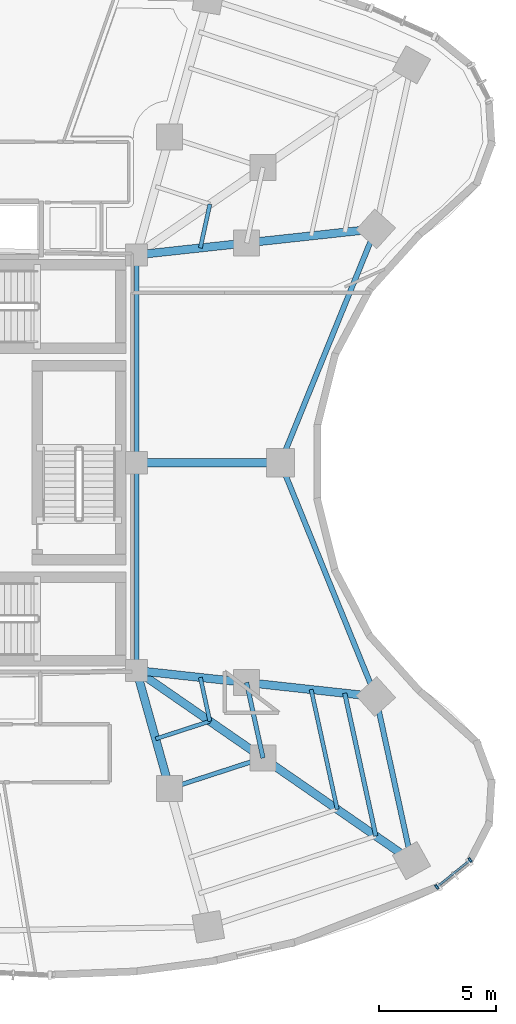
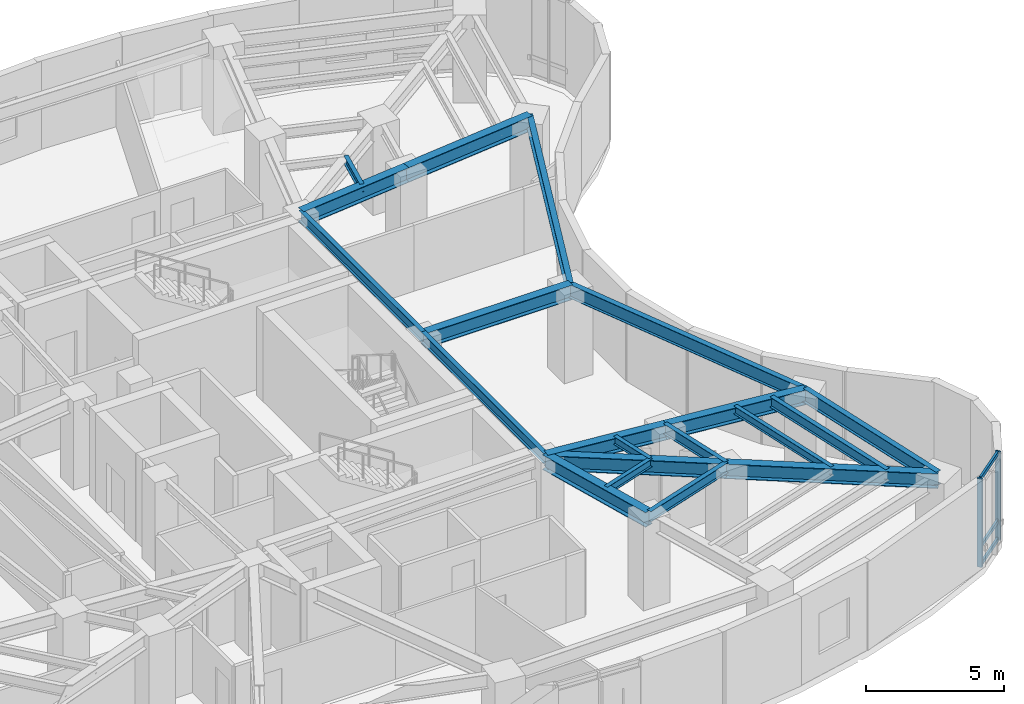
# One storey, part 4 of 14: 20 beams, 5 members, 1 element without a shape of its own.
"""IFC4 building model written with IfcOpenShell, lengths in metres."""

import ifcopenshell
import ifcopenshell.guid

model = None  # the IFC model being written
_history = None  # IfcOwnerHistory: only IFC2X3 demands one
_inside = {}  # id of a spatial element -> (the spatial element, [elements in it])
_under = {}  # id of a project, library or spatial element -> (it, [spatial elements below it])
_declared = {}  # id of a project -> (the project, [libraries it declares])
_typed = {}  # id of a type object -> (the type object, [elements of that type])
_made_of = {}  # id of a material, layer set ... -> (it, [elements and type objects made of it])


def new_model(schema):
    """Start an empty IFC model of exactly this schema.

    Asked for "IFC4X3", IfcOpenShell would pick the latest addendum, in which some entities
    have other attributes; the version numbers below select the first issue.
    IFC2X3 requires an IfcOwnerHistory on every rooted entity: one is made here for all.
    """
    global model, _history
    if schema == "IFC4X3":
        model = ifcopenshell.file(schema_version=(4, 3, 0, 0))
    else:
        model = ifcopenshell.file(schema=schema)
    _inside.clear()
    _under.clear()
    _declared.clear()
    _typed.clear()
    _made_of.clear()
    _history = None
    if model.schema == "IFC2X3":
        org = make("IfcOrganization", Name="unknown")
        user = make(
            "IfcPersonAndOrganization",
            ThePerson=make("IfcPerson", FamilyName="unknown"),
            TheOrganization=org,
        )
        app = make(
            "IfcApplication",
            ApplicationDeveloper=org,
            Version="unknown",
            ApplicationFullName="unknown",
            ApplicationIdentifier="unknown",
        )
        _history = make(
            "IfcOwnerHistory",
            OwningUser=user,
            OwningApplication=app,
            ChangeAction="ADDED",
            CreationDate=0,
        )
    return model


def make(cls, **values):
    """One entity of the class cls with the attributes given. An attribute that is None is left unset."""
    return model.create_entity(
        cls, **{name: value for name, value in values.items() if value is not None}
    )


def rooted(cls, **values):
    """An entity with a GlobalId (a new one), such as an element, a storey or a relation."""
    return make(cls, GlobalId=ifcopenshell.guid.new(), OwnerHistory=_history, **values)


def si_unit(unit_type, name, prefix=None):
    """IfcSIUnit, for example si_unit("LENGTHUNIT", "METRE", prefix="MILLI")."""
    return make("IfcSIUnit", UnitType=unit_type, Prefix=prefix, Name=name)


def assignment(units):
    """IfcUnitAssignment: the units of a project."""
    return None if units is None else make("IfcUnitAssignment", Units=units)


def point(xyz):
    """IfcCartesianPoint."""
    return None if xyz is None else make("IfcCartesianPoint", Coordinates=xyz)


def direction(xyz):
    """IfcDirection."""
    return None if xyz is None else make("IfcDirection", DirectionRatios=xyz)


def frame(location, z_axis=None, x_axis=None):
    """IfcAxis2Placement3D, a coordinate frame: its origin and axes. An axis left out is left unset."""
    return make(
        "IfcAxis2Placement3D",
        Location=point(location),
        Axis=direction(z_axis),
        RefDirection=direction(x_axis),
    )


def frame_2d(location, x_axis=None):
    """IfcAxis2Placement2D, a coordinate frame in the plane: its origin and x axis."""
    return make(
        "IfcAxis2Placement2D", Location=point(location), RefDirection=direction(x_axis)
    )


def origin():
    """The frame at (0, 0, 0) with its axes left unset."""
    return frame((0.0, 0.0, 0.0))


def origin_2d():
    """The frame at (0, 0) in the plane with its x axis left unset."""
    return frame_2d((0.0, 0.0))


def place(relative_to, where):
    """IfcLocalPlacement: puts the frame where relative to a parent placement (None: the world)."""
    return make(
        "IfcLocalPlacement", PlacementRelTo=relative_to, RelativePlacement=where
    )


def context(
    kind, dimensions, precision=None, world=None, true_north=None, identifier=None
):
    """IfcGeometricRepresentationContext, for example the 3D "Model" context."""
    return make(
        "IfcGeometricRepresentationContext",
        ContextIdentifier=identifier,
        ContextType=kind,
        CoordinateSpaceDimension=dimensions,
        Precision=precision,
        WorldCoordinateSystem=world,
        TrueNorth=true_north,
    )


def subcontext(parent, identifier, kind, view, scale=None):
    """IfcGeometricRepresentationSubContext, for example "Body" below "Model"."""
    return make(
        "IfcGeometricRepresentationSubContext",
        ContextIdentifier=identifier,
        ContextType=kind,
        ParentContext=parent,
        TargetScale=scale,
        TargetView=view,
    )


def project(units=None, contexts=None):
    """IfcProject with its units and contexts."""
    return rooted(
        "IfcProject",
        Name="project",
        RepresentationContexts=contexts,
        UnitsInContext=assignment(units),
    )


def spatial(cls, under=None, at=None, **own):
    """A site, building, storey or space (cls), placed at a placement, below another one or the project."""
    s = rooted(cls, ObjectPlacement=at, **own)
    if under is not None:
        _under.setdefault(under.id(), (under, []))[1].append(s)
    return s


def profile(cls, at=None, kind="AREA", **sizes):
    """A parametric profile (cls). Its sizes go by their IFC names, for example OverallWidth=200.0."""
    return make(cls, ProfileType=kind, Position=at, **sizes)


def rectangle(**sizes):
    """IfcRectangleProfileDef."""
    return profile("IfcRectangleProfileDef", **sizes)


def i_section(**sizes):
    """IfcIShapeProfileDef."""
    return profile("IfcIShapeProfileDef", **sizes)


def extrude(swept, where, along, depth):
    """IfcExtrudedAreaSolid: the profile swept, set in the frame where, extruded along a direction by depth."""
    return make(
        "IfcExtrudedAreaSolid",
        SweptArea=swept,
        Position=where,
        ExtrudedDirection=direction(along),
        Depth=depth,
    )


def shape(context_of_items, identifier, shape_type, items):
    """IfcShapeRepresentation: the items that make up one representation, for example the "Body"."""
    return make(
        "IfcShapeRepresentation",
        ContextOfItems=context_of_items,
        RepresentationIdentifier=identifier,
        RepresentationType=shape_type,
        Items=items,
    )


def material(Name=None, Category=None):
    """IfcMaterial."""
    return make("IfcMaterial", Name=Name, Category=Category)


def layer(
    of_material, thickness, ventilated=None, Name=None, Category=None, Priority=None
):
    """IfcMaterialLayer: one layer of a wall or slab, of a material (None: an air gap)."""
    return make(
        "IfcMaterialLayer",
        Material=of_material,
        LayerThickness=thickness,
        IsVentilated=ventilated,
        Name=Name,
        Category=Category,
        Priority=Priority,
    )


def layer_set(layers, Name=None):
    """IfcMaterialLayerSet."""
    return make("IfcMaterialLayerSet", MaterialLayers=layers, LayerSetName=Name)


def material_profile(
    of_material, cross_section, Name=None, Category=None, Priority=None
):
    """IfcMaterialProfile: a cross section and its material."""
    return make(
        "IfcMaterialProfile",
        Name=Name,
        Material=of_material,
        Profile=cross_section,
        Priority=Priority,
        Category=Category,
    )


def profile_set(profiles, Name=None, composite=None):
    """IfcMaterialProfileSet."""
    return make(
        "IfcMaterialProfileSet",
        Name=Name,
        MaterialProfiles=profiles,
        CompositeProfile=composite,
    )


def made_of(thing, what):
    """Note that an element or type object is made of a material, layer set ...; save() writes the relation."""
    if what is not None:
        _made_of.setdefault(what.id(), (what, []))[1].append(thing)
    return thing


def type_object(cls, material=None, **own):
    """A type object (cls), such as IfcWallType, which elements share."""
    return made_of(rooted(cls, **own), material)


def element(
    cls,
    number,
    at=None,
    inside=None,
    cuts=None,
    type_object=None,
    material=None,
    context=None,
    identifier="Body",
    shape_type=None,
    held_by="IfcProductDefinitionShape",
    body=None,
    shapes=None,
    **own,
):
    """One element of the class cls, such as IfcWall. Its Tag is "e" and its number.

    at: its placement. inside: the storey or other place that contains it. cuts: it is an
    opening in that element (IfcRelVoidsElement). A single representation is given by context,
    identifier, shape_type and body (its items); several are given by shapes. held_by: the class
    of the entity that holds the representations. save() writes the other relations.
    """
    e = rooted(cls, Tag="e%d" % number, ObjectPlacement=at, **own)
    if body is not None:
        shapes = [shape(context, identifier, shape_type, body)]
    if shapes is not None:
        e.Representation = make(held_by, Representations=shapes)
    if inside is not None:
        _inside.setdefault(inside.id(), (inside, []))[1].append(e)
    if cuts is not None:
        rooted(
            "IfcRelVoidsElement", RelatingBuildingElement=cuts, RelatedOpeningElement=e
        )
    if type_object is not None:
        _typed.setdefault(type_object.id(), (type_object, []))[1].append(e)
    return made_of(e, material)


def aggregate(whole, parts):
    """IfcRelAggregates: a whole, such as a stair, and the parts it consists of."""
    return rooted("IfcRelAggregates", RelatingObject=whole, RelatedObjects=parts)


def save(model, path):
    """Write the relations noted so far, then the file.

    IfcRelAggregates (storeys below a building ...), IfcRelContainedInSpatialStructure (elements
    in a storey), IfcRelDefinesByType, IfcRelAssociatesMaterial and IfcRelDeclares: one each for
    every whole, place, type object, material and project.
    """
    for whole, parts in _under.values():
        aggregate(whole, parts)
    for where, things in _inside.values():
        rooted(
            "IfcRelContainedInSpatialStructure",
            RelatedElements=things,
            RelatingStructure=where,
        )
    for kind, things in _typed.values():
        rooted("IfcRelDefinesByType", RelatedObjects=things, RelatingType=kind)
    for what, things in _made_of.values():
        rooted("IfcRelAssociatesMaterial", RelatedObjects=things, RelatingMaterial=what)
    for by, libraries in _declared.values():
        rooted("IfcRelDeclares", RelatingContext=by, RelatedDefinitions=libraries)
    model.write(path)


model = new_model("IFC4")

# Units and contexts
model_context = context("Model", 3, precision=1e-05, world=origin(), true_north=direction((0.0, 1.0)))
body_context = subcontext(model_context, "Body", "Model", "MODEL_VIEW")
ifc_project = project(units=[si_unit("LENGTHUNIT", "METRE"), si_unit("AREAUNIT", "SQUARE_METRE"), si_unit("VOLUMEUNIT", "CUBIC_METRE"), si_unit("PLANEANGLEUNIT", "RADIAN"), si_unit("MASSUNIT", "GRAM", prefix="KILO")], contexts=[model_context])

# Site, building, storey
site_placement = place(None, origin())
site = spatial("IfcSite", under=ifc_project, at=site_placement, CompositionType="ELEMENT")
building_placement = place(site_placement, origin())
building = spatial("IfcBuilding", under=site, at=building_placement, Name="Korentha Bioscience Tower", CompositionType="ELEMENT")
storey_placement = place(building_placement, frame((0.0, 0.0, 132.0)))
storey = spatial("IfcBuildingStorey", under=building, at=storey_placement, Name="L30", CompositionType="ELEMENT", Elevation=132.0)

# Beams
ifc_material_1 = material(Name="Steel S355", Category="steel")
ifc_material_profile_1 = material_profile(ifc_material_1, i_section(OverallWidth=0.18994140625, OverallDepth=0.45703125, WebThickness=0.009033203125, FlangeThickness=0.014404296875, at=origin_2d()), Name="Steel S355")
ifc_profile_set_1 = profile_set([ifc_material_profile_1], Name="Steel S355 (MB-460)")
beam_type_1 = type_object("IfcBeamType", Name="Mid-Ring Tie Girder W460x74", PredefinedType="BEAM", material=ifc_profile_set_1)
beam_1_placement = place(storey_placement, frame((38.954833984375, 13.129150390625, 3.67138671875), z_axis=(0.95087582253, 0.309572560361, 0.0), x_axis=(-0.309572560361, 0.95087582253, 0.0)))
element("IfcBeam", 1, at=beam_1_placement, inside=storey, type_object=beam_type_1, Name="L30 Mid-Ring Tie Girder 12", PredefinedType="BEAM", context=body_context, shape_type="SweptSolid", body=[
    extrude(i_section(OverallWidth=0.18994140625, OverallDepth=0.45703125, WebThickness=0.009033203125, FlangeThickness=0.014404296875, at=origin_2d()), origin(), (0.0, 0.0, 1.0), 4.186767578125),
])
beam_2_placement = place(storey_placement, frame((42.93603515625, 14.42529296875, 3.67138671875), z_axis=(-0.212928773299, 0.977067724112, 0.0), x_axis=(-0.977067724112, -0.212928773299, 0.0)))
element("IfcBeam", 2, at=beam_2_placement, inside=storey, type_object=beam_type_1, Name="L30 Mid-Ring Tie Girder 13", PredefinedType="BEAM", context=body_context, shape_type="SweptSolid", body=[
    extrude(i_section(OverallWidth=0.18994140625, OverallDepth=0.45703125, WebThickness=0.009033203125, FlangeThickness=0.014404296875, at=origin_2d()), origin(), (0.0, 0.0, 1.0), 3.28955078125),
])
for number, where, z_axis, x_axis, name in (
    (3, (37.550048828125, 18.14990234375, 3.67138671875), (0.0, 1.0, 0.0), (-1.0, 0.0, 0.0), "L30 Core Ring Tie Girder 06"),
    (4, (37.550048828125, 27.0, 3.67138671875), (0.0, 1.0, 0.0), (-1.0, 0.0, 0.0), "L30 Core Ring Tie Girder 07"),
):
    element("IfcBeam", number, at=place(storey_placement, frame(where, z_axis=z_axis, x_axis=x_axis)), inside=storey, type_object=beam_type_1, Name=name, PredefinedType="BEAM", context=body_context, shape_type="SweptSolid", body=[
        extrude(i_section(OverallWidth=0.18994140625, OverallDepth=0.45703125, WebThickness=0.009033203125, FlangeThickness=0.014404296875, at=origin_2d()), origin(), (0.0, 0.0, 1.0), 8.85009765625),
    ])

# Curtain wall, members
ifc_material_2 = material(Name="Thermally Broken Aluminium Frame", Category="aluminium")
ifc_layer = layer(ifc_material_2, 0.219970703125, Name="Thermally Broken Aluminium Frame")
ifc_layer_set = layer_set([ifc_layer], Name="Thermally Broken Aluminium Frame (CW-T2)")
curtain_wall_type = type_object("IfcCurtainWallType", Name="Solar-Screened Lab Unitised Curtain Wall CW-T2", PredefinedType="USERDEFINED", material=ifc_layer_set)
curtain_wall_placement = place(storey_placement, origin())
curtain_wall = element("IfcCurtainWall", 5, at=curtain_wall_placement, inside=storey, type_object=curtain_wall_type, Name="L30 Curtain Wall 37", ObjectType="UNITISED", PredefinedType="USERDEFINED")
ifc_material_3 = material(Name="Anodised Aluminium 6063-T6", Category="aluminium")
ifc_material_profile_2 = material_profile(ifc_material_3, rectangle(XDim=0.090087890625, YDim=0.199951171875, at=origin_2d()), Name="Anodised Aluminium 6063-T6")
ifc_profile_set_2 = profile_set([ifc_material_profile_2], Name="Anodised Aluminium 6063-T6 (CW-MUL)")
member_type_1 = type_object("IfcMemberType", Name="Mullion RECT 90x200", PredefinedType="MULLION", material=ifc_profile_set_2)
member_1_placement = place(storey_placement, frame((50.337158203125, 8.931884765625, 0.0), z_axis=(0.0, 0.0, 1.0), x_axis=(0.777315301098, 0.629111216463, 0.0)))
member_1 = element("IfcMember", 6, at=member_1_placement, type_object=member_type_1, Name="CW-L30-37 Mullion 1", PredefinedType="MULLION", context=body_context, shape_type="SweptSolid", body=[
    extrude(rectangle(XDim=0.090087890625, YDim=0.199951171875, at=origin_2d()), origin(), (0.0, 0.0, 1.0), 3.89990234375),
])
member_2_placement = place(storey_placement, frame((51.7578125, 10.08154296875, 0.0), z_axis=(0.0, 0.0, 1.0), x_axis=(0.777315301098, 0.629111216463, 0.0)))
member_2 = element("IfcMember", 7, at=member_2_placement, type_object=member_type_1, Name="CW-L30-37 Mullion 2", PredefinedType="MULLION", context=body_context, shape_type="SweptSolid", body=[
    extrude(rectangle(XDim=0.090087890625, YDim=0.199951171875, at=origin_2d()), origin(), (0.0, 0.0, 1.0), 3.89990234375),
])

# Beams
ifc_material_profile_3 = material_profile(ifc_material_1, i_section(OverallWidth=0.22802734375, OverallDepth=0.60791015625, WebThickness=0.01123046875, FlangeThickness=0.017333984375, at=origin_2d()), Name="Steel S355")
ifc_profile_set_3 = profile_set([ifc_material_profile_3], Name="Steel S355 (SB-610)")
beam_type_2 = type_object("IfcBeamType", Name="Perimeter Ring Spandrel Girder W610x113", PredefinedType="SPANDREL", material=ifc_profile_set_3)
beam_3_placement = place(storey_placement, frame((49.2587890625, 10.052978515625, 3.595947265625), z_axis=(-0.212927102256, 0.977068088275, 0.0), x_axis=(-0.977068088275, -0.212927102256, 0.0)))
element("IfcBeam", 8, at=beam_3_placement, inside=storey, type_object=beam_type_2, Name="L30 Perimeter Spandrel Girder 13", PredefinedType="SPANDREL", context=body_context, shape_type="SweptSolid", body=[
    extrude(i_section(OverallWidth=0.22802734375, OverallDepth=0.60791015625, WebThickness=0.01123046875, FlangeThickness=0.017333984375, at=origin_2d()), origin(), (0.0, 0.0, 1.0), 7.1513671875),
])
for number, where, z_axis, x_axis, name in (
    (9, (47.736083984375, 17.040283203125, 3.595947265625), (-0.37709856037, 0.926173134876, 0.0), (-0.926173134876, -0.37709856037, 0.0), "L30 Perimeter Spandrel Girder 14"),
    (10, (43.680908203125, 27.0, 3.595947265625), (0.37709856037, 0.926173134876, 0.0), (-0.926173134876, 0.37709856037, 0.0), "L30 Perimeter Spandrel Girder 15"),
):
    element("IfcBeam", number, at=place(storey_placement, frame(where, z_axis=z_axis, x_axis=x_axis)), inside=storey, type_object=beam_type_2, Name=name, PredefinedType="SPANDREL", context=body_context, shape_type="SweptSolid", body=[
        extrude(i_section(OverallWidth=0.22802734375, OverallDepth=0.60791015625, WebThickness=0.01123046875, FlangeThickness=0.017333984375, at=origin_2d()), origin(), (0.0, 0.0, 1.0), 10.753662109375),
    ])
ifc_material_profile_4 = material_profile(ifc_material_1, i_section(OverallWidth=0.18994140625, OverallDepth=0.45703125, WebThickness=0.009033203125, FlangeThickness=0.014404296875, at=origin_2d()), Name="Steel S355")
ifc_profile_set_4 = profile_set([ifc_material_profile_4], Name="Steel S355 (RB-460)")
beam_type_3 = type_object("IfcBeamType", Name="Radial Laboratory Beam W460x74", PredefinedType="BEAM", material=ifc_profile_set_4)
beam_4_placement = place(storey_placement, frame((47.7412109375, 11.1025390625, 3.67138671875), z_axis=(-0.21290837934, 0.977072168269, 0.0), x_axis=(-0.977072168269, -0.21290837934, 0.0)))
element("IfcBeam", 11, at=beam_4_placement, inside=storey, type_object=beam_type_3, Name="L30 Secondary Floor Beam JSTO-13", PredefinedType="BEAM", context=body_context, shape_type="SweptSolid", body=[
    extrude(i_section(OverallWidth=0.18994140625, OverallDepth=0.45703125, WebThickness=0.009033203125, FlangeThickness=0.014404296875, at=origin_2d()), origin(), (0.0, 0.0, 1.0), 6.224365234375),
])
ifc_material_profile_5 = material_profile(ifc_material_1, i_section(OverallWidth=0.35009765625, OverallDepth=0.64990234375, WebThickness=0.01611328125, FlangeThickness=0.02490234375, at=origin_2d()), Name="Steel S355")
ifc_profile_set_5 = profile_set([ifc_material_profile_5], Name="Steel S355 (RB-650)")
beam_type_4 = type_object("IfcBeamType", Name="Radial Laboratory Girder CVS 650x208", PredefinedType="BEAM", material=ifc_profile_set_5)
beam_5_placement = place(storey_placement, frame((37.550048828125, 18.14990234375, 3.574951171875), z_axis=(0.269447542125, -0.96301506844, 0.0), x_axis=(0.96301506844, 0.269447542125, 0.0)))
element("IfcBeam", 12, at=beam_5_placement, inside=storey, type_object=beam_type_4, Name="L30 Inner Radial Girder 12", PredefinedType="BEAM", context=body_context, shape_type="SweptSolid", body=[
    extrude(i_section(OverallWidth=0.35009765625, OverallDepth=0.64990234375, WebThickness=0.01611328125, FlangeThickness=0.02490234375, at=origin_2d()), origin(), (0.0, 0.0, 1.0), 5.213623046875),
])
beam_6_placement = place(storey_placement, frame((37.550048828125, 18.14990234375, 3.574951171875), z_axis=(0.822488699387, -0.568781451333, 0.0), x_axis=(0.568781451333, 0.822488699387, 0.0)))
element("IfcBeam", 13, at=beam_6_placement, inside=storey, type_object=beam_type_4, Name="L30 Inner Radial Girder 13", PredefinedType="BEAM", context=body_context, shape_type="SweptSolid", body=[
    extrude(i_section(OverallWidth=0.35009765625, OverallDepth=0.64990234375, WebThickness=0.01611328125, FlangeThickness=0.02490234375, at=origin_2d()), origin(), (0.0, 0.0, 1.0), 6.54833984375),
])
beam_7_placement = place(storey_placement, frame((42.93603515625, 14.42529296875, 3.574951171875), z_axis=(0.822495056204, -0.568772258922, 0.0), x_axis=(0.568772258922, 0.822495056204, 0.0)))
element("IfcBeam", 14, at=beam_7_placement, inside=storey, type_object=beam_type_4, Name="L30 Outer Radial Girder 13", PredefinedType="BEAM", context=body_context, shape_type="SweptSolid", body=[
    extrude(i_section(OverallWidth=0.35009765625, OverallDepth=0.64990234375, WebThickness=0.01611328125, FlangeThickness=0.02490234375, at=origin_2d()), origin(), (0.0, 0.0, 1.0), 7.687255859375),
])
beam_8_placement = place(storey_placement, frame((37.550048828125, 18.14990234375, 3.574951171875), z_axis=(0.994117092476, -0.108310694058, 0.0), x_axis=(0.108310694058, 0.994117092476, 0.0)))
element("IfcBeam", 15, at=beam_8_placement, inside=storey, type_object=beam_type_4, Name="L30 Inner Radial Girder 14", PredefinedType="BEAM", context=body_context, shape_type="SweptSolid", body=[
    extrude(i_section(OverallWidth=0.35009765625, OverallDepth=0.64990234375, WebThickness=0.01611328125, FlangeThickness=0.02490234375, at=origin_2d()), origin(), (0.0, 0.0, 1.0), 4.71337890625),
])
beam_9_placement = place(storey_placement, frame((42.235595703125, 17.639404296875, 3.574951171875), z_axis=(0.994120325557, -0.108281015487, 0.0), x_axis=(0.108281015487, 0.994120325557, 0.0)))
element("IfcBeam", 16, at=beam_9_placement, inside=storey, type_object=beam_type_4, Name="L30 Outer Radial Girder 14", PredefinedType="BEAM", context=body_context, shape_type="SweptSolid", body=[
    extrude(i_section(OverallWidth=0.35009765625, OverallDepth=0.64990234375, WebThickness=0.01611328125, FlangeThickness=0.02490234375, at=origin_2d()), origin(), (0.0, 0.0, 1.0), 5.532958984375),
])
beam_10_placement = place(storey_placement, frame((37.550048828125, 27.0, 3.574951171875), z_axis=(1.0, 0.0, 0.0), x_axis=(0.0, 1.0, 0.0)))
element("IfcBeam", 17, at=beam_10_placement, inside=storey, type_object=beam_type_4, Name="L30 Radial Girder 15", PredefinedType="BEAM", context=body_context, shape_type="SweptSolid", body=[
    extrude(i_section(OverallWidth=0.35009765625, OverallDepth=0.64990234375, WebThickness=0.01611328125, FlangeThickness=0.02490234375, at=origin_2d()), origin(), (0.0, 0.0, 1.0), 6.130859375),
])
beam_11_placement = place(storey_placement, frame((37.550048828125, 35.85009765625, 3.574951171875), z_axis=(0.994117092476, 0.108310694058, 0.0), x_axis=(-0.108310694058, 0.994117092476, 0.0)))
element("IfcBeam", 18, at=beam_11_placement, inside=storey, type_object=beam_type_4, Name="L30 Inner Radial Girder 16", PredefinedType="BEAM", context=body_context, shape_type="SweptSolid", body=[
    extrude(i_section(OverallWidth=0.35009765625, OverallDepth=0.64990234375, WebThickness=0.01611328125, FlangeThickness=0.02490234375, at=origin_2d()), origin(), (0.0, 0.0, 1.0), 4.71337890625),
])
beam_12_placement = place(storey_placement, frame((42.235595703125, 36.360595703125, 3.574951171875), z_axis=(0.994120325557, 0.108281015487, 0.0), x_axis=(-0.108281015487, 0.994120325557, 0.0)))
element("IfcBeam", 19, at=beam_12_placement, inside=storey, type_object=beam_type_4, Name="L30 Outer Radial Girder 16", PredefinedType="BEAM", context=body_context, shape_type="SweptSolid", body=[
    extrude(i_section(OverallWidth=0.35009765625, OverallDepth=0.64990234375, WebThickness=0.01611328125, FlangeThickness=0.02490234375, at=origin_2d()), origin(), (0.0, 0.0, 1.0), 5.532958984375),
])
ifc_material_profile_6 = material_profile(ifc_material_1, i_section(OverallWidth=0.1708984375, OverallDepth=0.35498046875, WebThickness=0.007080078125, FlangeThickness=0.01171875, at=origin_2d()), Name="Steel S355")
ifc_profile_set_6 = profile_set([ifc_material_profile_6], Name="Steel S355 (JB-360)")
beam_type_5 = type_object("IfcBeamType", Name="Secondary Laboratory Joist W360x51", PredefinedType="JOIST", material=ifc_profile_set_6)
beam_13_placement = place(storey_placement, frame((38.36474609375, 15.23779296875, 3.722412109375), z_axis=(0.950852158547, 0.30964523666, 0.0), x_axis=(-0.30964523666, 0.950852158547, 0.0)))
element("IfcBeam", 20, at=beam_13_placement, inside=storey, type_object=beam_type_5, Name="L30 Inner Bay Joist 12", PredefinedType="JOIST", context=body_context, shape_type="SweptSolid", body=[
    extrude(i_section(OverallWidth=0.1708984375, OverallDepth=0.35498046875, WebThickness=0.007080078125, FlangeThickness=0.01171875, at=origin_2d()), origin(), (0.0, 0.0, 1.0), 2.428466796875),
])
beam_14_placement = place(storey_placement, frame((46.097412109375, 12.2392578125, 3.722412109375), z_axis=(-0.212932493609, 0.977066913351, 0.0), x_axis=(-0.977066913351, -0.212932493609, 0.0)))
element("IfcBeam", 21, at=beam_14_placement, inside=storey, type_object=beam_type_5, Name="L30 Secondary Floor Beam JST-13", PredefinedType="JOIST", context=body_context, shape_type="SweptSolid", body=[
    extrude(i_section(OverallWidth=0.1708984375, OverallDepth=0.35498046875, WebThickness=0.007080078125, FlangeThickness=0.01171875, at=origin_2d()), origin(), (0.0, 0.0, 1.0), 5.22021484375),
])
for number, where, z_axis, x_axis, name in (
    (22, (40.673828125, 15.98974609375, 3.722412109375), (-0.212918344001, 0.977069996872, 0.0), (-0.977069996872, -0.212918344001, 0.0), "L30 Inner Bay Joist 13"),
    (23, (40.267578125, 36.14599609375, 3.722412109375), (0.212918344001, 0.977069996872, 0.0), (-0.977069996872, 0.212918344001, 0.0), "L30 Inner Bay Joist 16"),
):
    element("IfcBeam", number, at=place(storey_placement, frame(where, z_axis=z_axis, x_axis=x_axis)), inside=storey, type_object=beam_type_5, Name=name, PredefinedType="JOIST", context=body_context, shape_type="SweptSolid", body=[
        extrude(i_section(OverallWidth=0.1708984375, OverallDepth=0.35498046875, WebThickness=0.007080078125, FlangeThickness=0.01171875, at=origin_2d()), origin(), (0.0, 0.0, 1.0), 1.907958984375),
    ])

# Member
ifc_material_profile_7 = material_profile(ifc_material_3, rectangle(XDim=0.090087890625, YDim=0.159912109375, at=origin_2d()), Name="Anodised Aluminium 6063-T6")
ifc_profile_set_7 = profile_set([ifc_material_profile_7], Name="Anodised Aluminium 6063-T6 (CW-TRN)")
member_type_2 = type_object("IfcMemberType", Name="Transom RECT 90x160", PredefinedType="USERDEFINED", material=ifc_profile_set_7)
member_3_placement = place(storey_placement, frame((50.3720703125, 8.960205078125, 0.044921875), z_axis=(0.777333214738, 0.629089082137, 0.0), x_axis=(-0.629089082137, 0.777333214738, 0.0)))
member_3 = element("IfcMember", 24, at=member_3_placement, type_object=member_type_2, Name="CW-L30-37 Bay 1 Transom 1", ObjectType="TRANSOM", PredefinedType="USERDEFINED", context=body_context, shape_type="SweptSolid", body=[
    extrude(rectangle(XDim=0.090087890625, YDim=0.159912109375, at=origin_2d()), origin(), (0.0, 0.0, 1.0), 1.737548828125),
])

member_4_placement = place(storey_placement, frame((50.3720703125, 8.960205078125, 0.85009765625), z_axis=(0.777333214738, 0.629089082137, 0.0), x_axis=(-0.629089082137, 0.777333214738, 0.0)))
member_4 = element("IfcMember", 25, at=member_4_placement, type_object=member_type_2, Name="CW-L30-37 Bay 1 Transom 2", ObjectType="TRANSOM", PredefinedType="USERDEFINED", context=body_context, shape_type="SweptSolid", body=[
    extrude(rectangle(XDim=0.090087890625, YDim=0.159912109375, at=origin_2d()), origin(), (0.0, 0.0, 1.0), 1.737548828125),
])

member_5_placement = place(storey_placement, frame((50.3720703125, 8.960205078125, 3.85498046875), z_axis=(0.777333214738, 0.629089082137, 0.0), x_axis=(-0.629089082137, 0.777333214738, 0.0)))
member_5 = element("IfcMember", 26, at=member_5_placement, type_object=member_type_2, Name="CW-L30-37 Bay 1 Transom 3", ObjectType="TRANSOM", PredefinedType="USERDEFINED", context=body_context, shape_type="SweptSolid", body=[
    extrude(rectangle(XDim=0.090087890625, YDim=0.159912109375, at=origin_2d()), origin(), (0.0, 0.0, 1.0), 1.737548828125),
])

aggregate(curtain_wall, [member_1, member_2, member_3, member_4, member_5])

save(model, "model.ifc")
